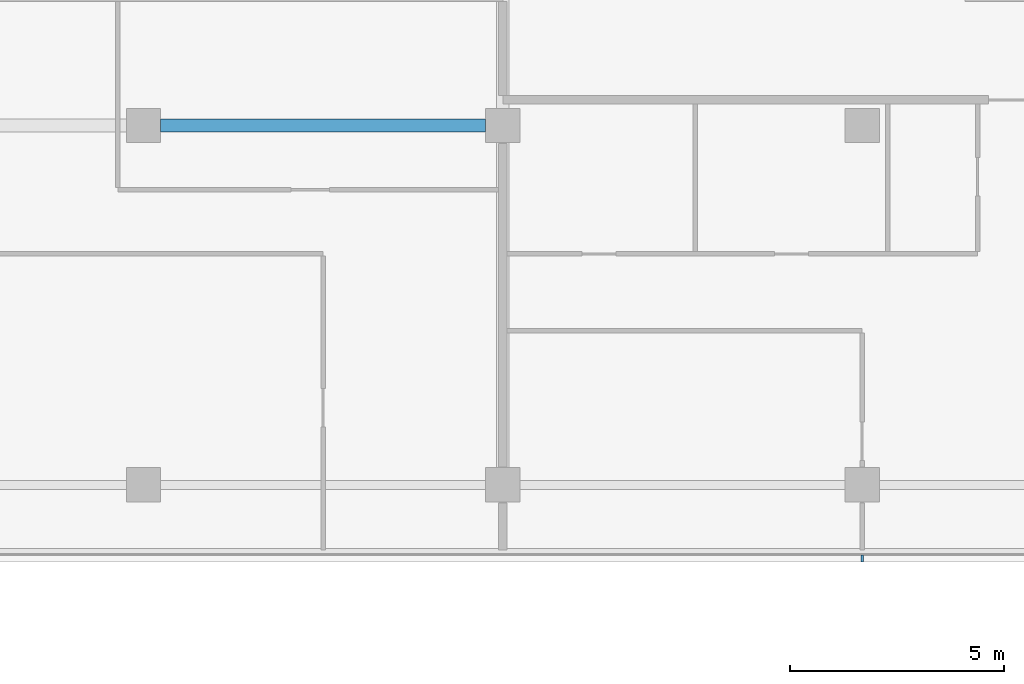
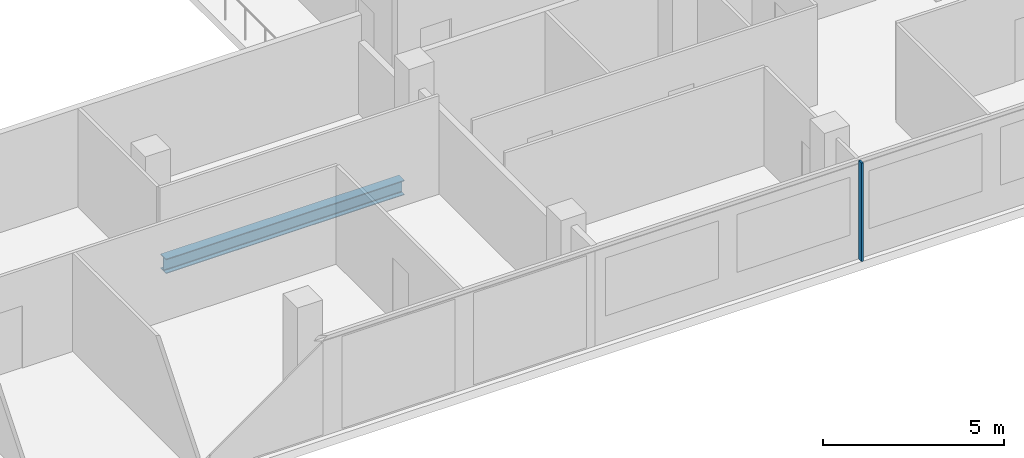
# One storey, part 8 of 30: 1 beam, 1 member, 1 element without a shape of its own.
"""IFC4 building model written with IfcOpenShell, lengths in metres."""

from ifc_helpers import new_model, si_unit, direction, frame, origin, origin_2d, place, context, subcontext, project, spatial, rectangle, i_section, extrude, material, material_profile, profile_set, type_object, element, aggregate, save


model = new_model("IFC4")

# Units and contexts
model_context = context("Model", 3, precision=1e-05, world=origin(), true_north=direction((0.0, 1.0)))
body_context = subcontext(model_context, "Body", "Model", "MODEL_VIEW")
ifc_project = project(units=[si_unit("LENGTHUNIT", "METRE"), si_unit("AREAUNIT", "SQUARE_METRE"), si_unit("VOLUMEUNIT", "CUBIC_METRE"), si_unit("PLANEANGLEUNIT", "RADIAN"), si_unit("MASSUNIT", "GRAM", prefix="KILO")], contexts=[model_context])

# Site, building, storey
site_placement = place(None, origin())
site = spatial("IfcSite", under=ifc_project, at=site_placement, CompositionType="ELEMENT")
building_placement = place(site_placement, origin())
building = spatial("IfcBuilding", under=site, at=building_placement, Name="Saffron Gate Tower", CompositionType="ELEMENT")
storey_placement = place(building_placement, frame((0.0, 0.0, 127.64990234375)))
storey = spatial("IfcBuildingStorey", under=building, at=storey_placement, Name="L30", CompositionType="ELEMENT", Elevation=127.64990234375)

# Beam
ifc_material_1 = material(Name="Structural steel S355", Category="steel")
ifc_material_profile_1 = material_profile(ifc_material_1, i_section(OverallWidth=0.300048828125, OverallDepth=0.489990234375, WebThickness=0.011962890625, FlangeThickness=0.02294921875, FilletRadius=0.027099609375, at=origin_2d()))
ifc_profile_set_1 = profile_set([ifc_material_profile_1], Name="Structural steel S355")
beam_type = type_object("IfcBeamType", Name="B8 HEA 500", PredefinedType="BEAM", material=ifc_profile_set_1)
beam_placement = place(storey_placement, frame((92.199951171875, 40.199951171875, -0.52490234375), z_axis=(1.0, 0.0, 0.0), x_axis=(0.0, 1.0, 0.0)))
element("IfcBeam", 1, at=beam_placement, inside=storey, type_object=beam_type, Name="B8 FLOOR GIRDER", PredefinedType="BEAM", context=body_context, shape_type="SweptSolid", body=[
    extrude(i_section(OverallWidth=0.300048828125, OverallDepth=0.489990234375, WebThickness=0.011962890625, FlangeThickness=0.02294921875, FilletRadius=0.027099609375, at=origin_2d()), origin(), (0.0, 0.0, 1.0), 7.60009765625),
])

# Curtain wall, member
ifc_material_2 = material(Name="Aluminium, bronze anodised", Category="aluminium")
curtain_wall_type = type_object("IfcCurtainWallType", Name="CWS1 curtain wall front facade", PredefinedType="NOTDEFINED", material=ifc_material_2)
curtain_wall_placement = place(storey_placement, origin())
curtain_wall = element("IfcCurtainWall", 2, at=curtain_wall_placement, inside=storey, type_object=curtain_wall_type, Name="CWS1 run 1", PredefinedType="NOTDEFINED")
ifc_material_profile_2 = material_profile(ifc_material_2, rectangle(XDim=0.159912109375, YDim=0.06005859375, at=origin_2d()))
ifc_profile_set_2 = profile_set([ifc_material_profile_2], Name="Aluminium, bronze anodised")
member_type = type_object("IfcMemberType", Name="CWS1 mullion 60x160", PredefinedType="MULLION", material=ifc_profile_set_2)
member_placement = place(storey_placement, frame((108.60009765625, 30.080078125, 0.0), z_axis=(0.0, 0.0, 1.0), x_axis=(0.0, 1.0, 0.0)))
member = element("IfcMember", 3, at=member_placement, type_object=member_type, Name="CWS1 mullion 8", PredefinedType="MULLION", context=body_context, shape_type="SweptSolid", body=[
    extrude(rectangle(XDim=0.159912109375, YDim=0.06005859375, at=origin_2d()), origin(), (0.0, 0.0, 1.0), 3.320068359375),
])
aggregate(curtain_wall, [member])

save(model, "model.ifc")
